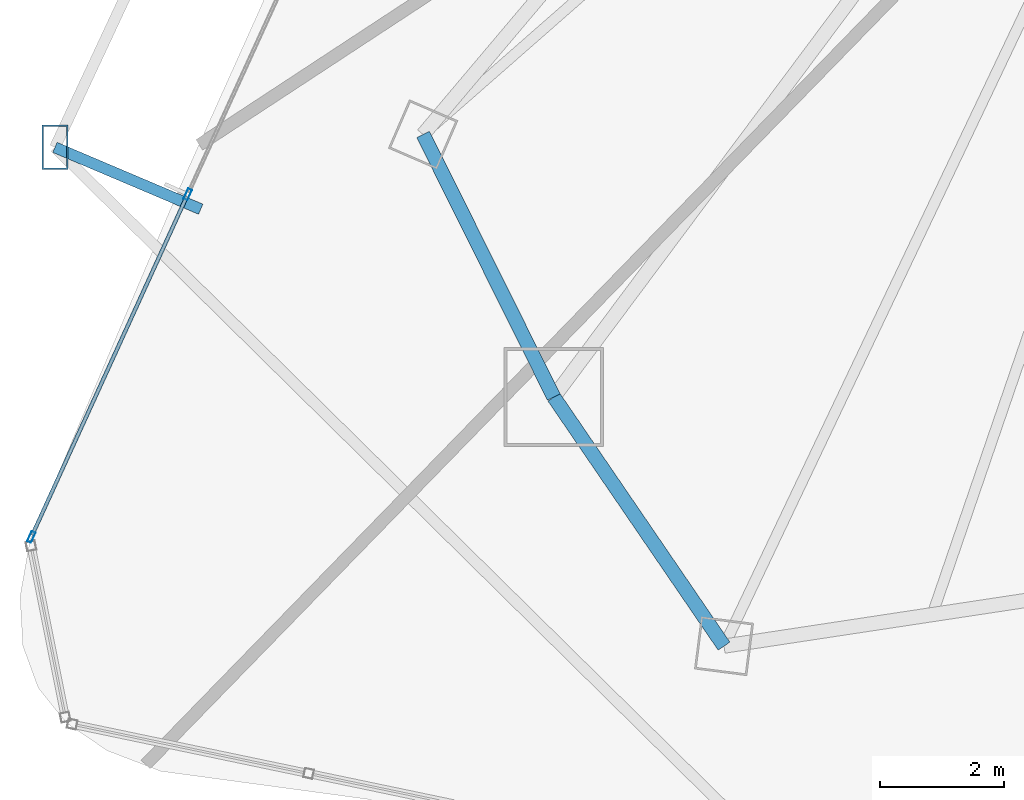
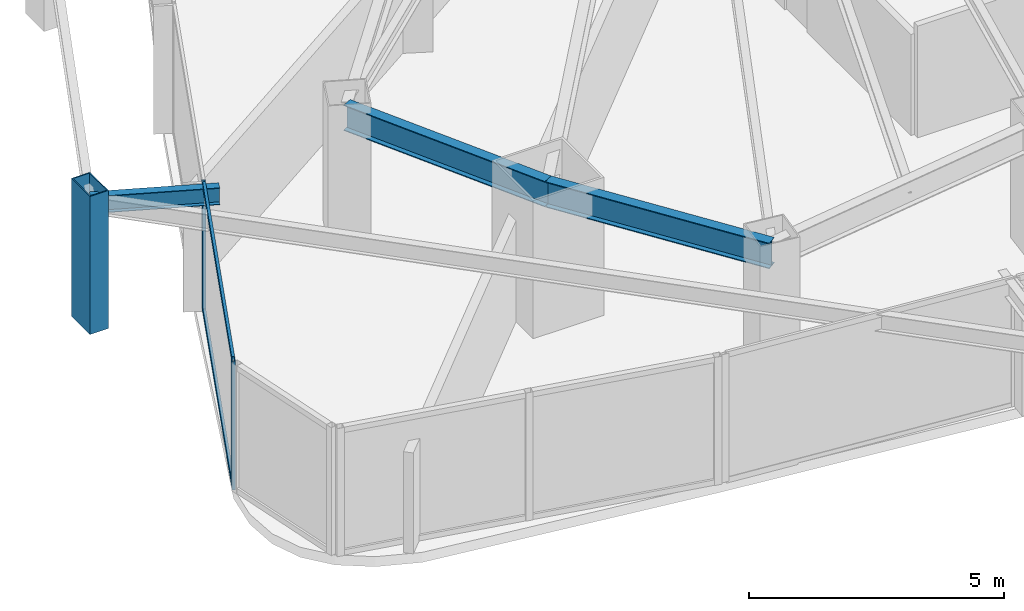
# One storey, part 5 of 33: 5 members, 3 beams, 1 element without a shape of its own.
"""IFC4 building model written with IfcOpenShell, lengths in metres."""

from ifc_helpers import new_model, si_unit, direction, frame, origin, origin_2d, place, context, subcontext, project, spatial, hollow_rectangle, i_section, extrude, material, layer, layer_set, material_profile, profile_set, type_object, element, aggregate, save


model = new_model("IFC4")

# Units and contexts
model_context = context("Model", 3, precision=1e-05, world=origin(), true_north=direction((0.0, 1.0)))
body_context = subcontext(model_context, "Body", "Model", "MODEL_VIEW")
ifc_project = project(units=[si_unit("LENGTHUNIT", "METRE"), si_unit("AREAUNIT", "SQUARE_METRE"), si_unit("VOLUMEUNIT", "CUBIC_METRE"), si_unit("PLANEANGLEUNIT", "RADIAN"), si_unit("MASSUNIT", "GRAM", prefix="KILO")], contexts=[model_context])

# Site, building, storey
site_placement = place(None, origin())
site = spatial("IfcSite", under=ifc_project, at=site_placement, CompositionType="ELEMENT")
building_placement = place(site_placement, origin())
building = spatial("IfcBuilding", under=site, at=building_placement, Name="Orvanel Arch Residences", CompositionType="ELEMENT")
storey_placement = place(building_placement, frame((0.0, 0.0, 84.050048828125)))
storey = spatial("IfcBuildingStorey", under=building, at=storey_placement, Name="L23", CompositionType="ELEMENT", Elevation=84.050048828125)

# Member
ifc_material_1 = material(Name="Structural steel AS/NZS 3678 Grade 350", Category="steel")
ifc_material_profile_1 = material_profile(ifc_material_1, hollow_rectangle(XDim=0.419921875, YDim=0.719970703125, WallThickness=0.02490234375, at=origin_2d()), Name="RHS720x420x25")
ifc_profile_set_1 = profile_set([ifc_material_profile_1], Name="Structural steel AS/NZS 3678 Grade 350")
member_type_1 = type_object("IfcMemberType", Name="CH-720RHS-EXT", PredefinedType="CHORD", material=ifc_profile_set_1)
member_1_placement = place(storey_placement, frame((6.1650390625, 14.3720703125, 0.0), z_axis=(0.0, 0.0, 1.0), x_axis=(1.0, 0.0, 0.0)))
element("IfcMember", 1, at=member_1_placement, inside=storey, type_object=member_type_1, Name="L23 Outer Perimeter Frame Post 04", PredefinedType="CHORD", context=body_context, shape_type="SweptSolid", body=[
    extrude(hollow_rectangle(XDim=0.419921875, YDim=0.719970703125, WallThickness=0.02490234375, at=origin_2d()), origin(), (0.0, 0.0, 1.0), 3.300048828125),
])

# Curtain wall, members
ifc_material_2 = material(Name="Bronze-anodised aluminium AA6063-T6", Category="aluminium")
ifc_layer = layer(ifc_material_2, 0.179931640625)
ifc_layer_set = layer_set([ifc_layer], Name="Bronze-anodised aluminium AA6063-T6")
curtain_wall_type = type_object("IfcCurtainWallType", Name="CW2-LOW-SYS", PredefinedType="NOTDEFINED", material=ifc_layer_set)
curtain_wall_placement = place(storey_placement, origin())
curtain_wall = element("IfcCurtainWall", 2, at=curtain_wall_placement, inside=storey, type_object=curtain_wall_type, Name="L23 CW2-LOW-SYS Unitised Curtain Wall", PredefinedType="NOTDEFINED")
ifc_material_profile_2 = material_profile(ifc_material_2, hollow_rectangle(XDim=0.070068359375, YDim=0.179931640625, WallThickness=0.00439453125, at=origin_2d()), Name="ALU180x70x4.5")
ifc_profile_set_2 = profile_set([ifc_material_profile_2], Name="Bronze-anodised aluminium AA6063-T6")
member_type_2 = type_object("IfcMemberType", Name="MUL-180x70", PredefinedType="MULLION", material=ifc_profile_set_2)
member_2_placement = place(storey_placement, frame((8.3037109375, 13.615234375, 0.0), z_axis=(0.0, 0.0, 1.0), x_axis=(0.90969922077, -0.415267778343, 0.0)))
member_2 = element("IfcMember", 3, at=member_2_placement, type_object=member_type_2, Name="CW-S2 mullion 3", PredefinedType="MULLION", context=body_context, shape_type="SweptSolid", body=[
    extrude(hollow_rectangle(XDim=0.070068359375, YDim=0.179931640625, WallThickness=0.00439453125, at=origin_2d()), origin(), (0.0, 0.0, 1.0), 3.06005859375),
])
member_3_placement = place(storey_placement, frame((5.784423828125, 8.096923828125, 0.0), z_axis=(0.0, 0.0, 1.0), x_axis=(0.90969922077, -0.415267778343, 0.0)))
member_3 = element("IfcMember", 4, at=member_3_placement, type_object=member_type_2, Name="CW-S2 mullion 4", PredefinedType="MULLION", context=body_context, shape_type="SweptSolid", body=[
    extrude(hollow_rectangle(XDim=0.070068359375, YDim=0.179931640625, WallThickness=0.00439453125, at=origin_2d()), origin(), (0.0, 0.0, 1.0), 3.06005859375),
])

# Beams
ifc_material_3 = material(Name="Structural steel AS/NZS 3679.1 Grade 300 (300 MPa)", Category="steel")
ifc_material_profile_3 = material_profile(ifc_material_3, i_section(OverallWidth=0.177978515625, OverallDepth=0.406005859375, WebThickness=0.0078125, FlangeThickness=0.0126953125, at=origin_2d()), Name="410UB59.7")
ifc_profile_set_3 = profile_set([ifc_material_profile_3], Name="Structural steel AS/NZS 3679.1 Grade 300 (300 MPa)")
beam_type_1 = type_object("IfcBeamType", Name="OB-410UB-EXT", PredefinedType="SPANDREL", material=ifc_profile_set_3)
beam_1_placement = place(storey_placement, frame((8.512939453125, 13.3759765625, 2.85693359375), z_axis=(-0.920579696043, 0.390554763425, 0.0), x_axis=(-0.390554763425, -0.920579696043, 0.0)))
element("IfcBeam", 5, at=beam_1_placement, inside=storey, type_object=beam_type_1, Name="L23 Outer Frame Radial Tie Beam 04", PredefinedType="SPANDREL", context=body_context, shape_type="SweptSolid", body=[
    extrude(i_section(OverallWidth=0.177978515625, OverallDepth=0.406005859375, WebThickness=0.0078125, FlangeThickness=0.0126953125, at=origin_2d()), origin(), (0.0, 0.0, 1.0), 2.550537109375),
])
ifc_material_profile_4 = material_profile(ifc_material_3, i_section(OverallWidth=0.22900390625, OverallDepth=0.612060546875, WebThickness=0.011962890625, FlangeThickness=0.01953125, at=origin_2d()), Name="610UB125")
ifc_profile_set_4 = profile_set([ifc_material_profile_4], Name="Structural steel AS/NZS 3679.1 Grade 300 (300 MPa)")
beam_type_2 = type_object("IfcBeamType", Name="SP-610UB", PredefinedType="SPANDREL", material=ifc_profile_set_4)
beam_2_placement = place(storey_placement, frame((12.094970703125, 14.580078125, 2.75390625), z_axis=(0.44543469453, -0.895314432425, 0.0), x_axis=(0.895314432425, 0.44543469453, 0.0)))
element("IfcBeam", 6, at=beam_2_placement, inside=storey, type_object=beam_type_2, Name="L23 Perimeter Spandrel Beam 02", PredefinedType="SPANDREL", context=body_context, shape_type="SweptSolid", body=[
    extrude(i_section(OverallWidth=0.22900390625, OverallDepth=0.612060546875, WebThickness=0.011962890625, FlangeThickness=0.01953125, at=origin_2d()), origin(), (0.0, 0.0, 1.0), 4.723388671875),
])
beam_3_placement = place(storey_placement, frame((14.198974609375, 10.35107421875, 2.75390625), z_axis=(0.564251579852, -0.825602903722, 0.0), x_axis=(0.825602903722, 0.564251579852, 0.0)))
element("IfcBeam", 7, at=beam_3_placement, inside=storey, type_object=beam_type_2, Name="L23 Perimeter Spandrel Beam 03", PredefinedType="SPANDREL", context=body_context, shape_type="SweptSolid", body=[
    extrude(i_section(OverallWidth=0.22900390625, OverallDepth=0.612060546875, WebThickness=0.011962890625, FlangeThickness=0.01953125, at=origin_2d()), origin(), (0.0, 0.0, 1.0), 4.859375),
])

# Member
ifc_material_profile_5 = material_profile(ifc_material_2, hollow_rectangle(XDim=0.06005859375, YDim=0.135009765625, WallThickness=0.00390625, at=origin_2d()), Name="ALU135x60x4")
ifc_profile_set_5 = profile_set([ifc_material_profile_5], Name="Bronze-anodised aluminium AA6063-T6")
member_type_3 = type_object("IfcMemberType", Name="TRN-135x60", PredefinedType="USERDEFINED", material=ifc_profile_set_5)
member_4_placement = place(storey_placement, frame((8.2890625, 13.58349609375, 0.030029296875), z_axis=(-0.415256458562, -0.909704388042, 0.0), x_axis=(0.909704388042, -0.415256458562, 0.0)))
member_4 = element("IfcMember", 8, at=member_4_placement, type_object=member_type_3, Name="CW-S2 transom 3.1", ObjectType="TRANSOM", PredefinedType="USERDEFINED", context=body_context, shape_type="SweptSolid", body=[
    extrude(hollow_rectangle(XDim=0.06005859375, YDim=0.135009765625, WallThickness=0.00390625, at=origin_2d()), origin(), (0.0, 0.0, 1.0), 5.996337890625),
])

member_5_placement = place(storey_placement, frame((8.2890625, 13.58349609375, 3.030029296875), z_axis=(-0.415256458562, -0.909704388042, 0.0), x_axis=(0.909704388042, -0.415256458562, 0.0)))
member_5 = element("IfcMember", 9, at=member_5_placement, type_object=member_type_3, Name="CW-S2 transom 3.2", ObjectType="TRANSOM", PredefinedType="USERDEFINED", context=body_context, shape_type="SweptSolid", body=[
    extrude(hollow_rectangle(XDim=0.06005859375, YDim=0.135009765625, WallThickness=0.00390625, at=origin_2d()), origin(), (0.0, 0.0, 1.0), 5.996337890625),
])

aggregate(curtain_wall, [member_2, member_3, member_4, member_5])

save(model, "model.ifc")
